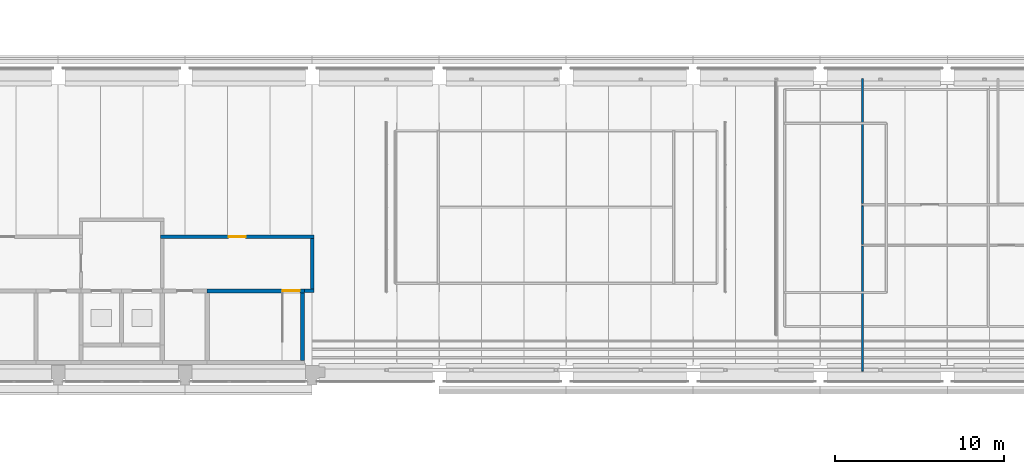
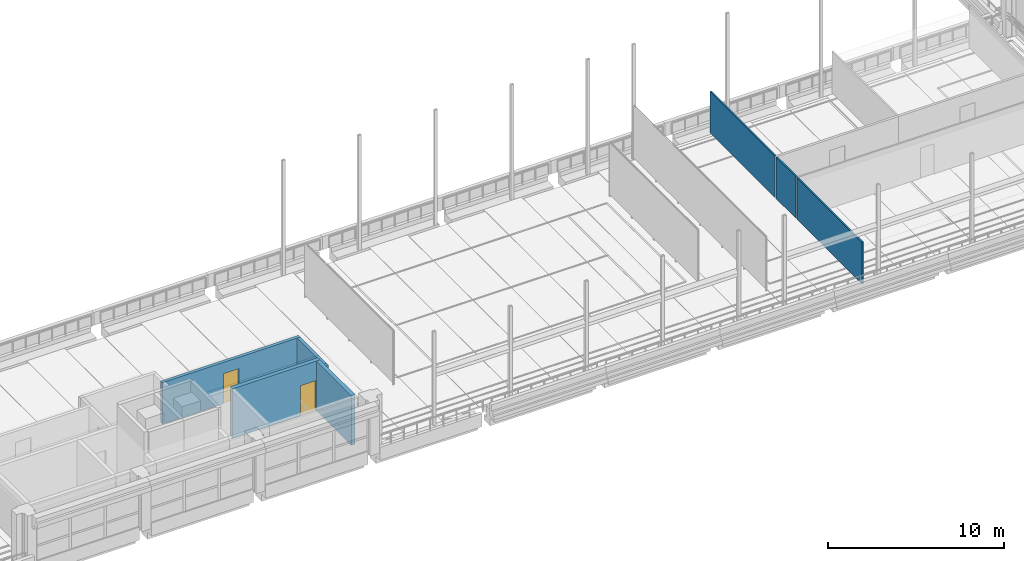
# One storey, part 43 of 62: 8 walls, 2 doors, 2 openings.
"""IFC4 building model written with IfcOpenShell, lengths in metres."""

from ifc_helpers import new_model, si_unit, direction, frame, frame_2d, origin, place, context, subcontext, project, spatial, rectangle, extrude, material, layer, layer_set, type_object, element, fill, save


model = new_model("IFC4")

# Units and contexts
model_context = context("Model", 3, precision=1e-05, world=origin(), true_north=direction((0.0, 1.0)))
body_context = subcontext(model_context, "Body", "Model", "MODEL_VIEW")
ifc_project = project(units=[si_unit("LENGTHUNIT", "METRE"), si_unit("AREAUNIT", "SQUARE_METRE"), si_unit("VOLUMEUNIT", "CUBIC_METRE"), si_unit("PLANEANGLEUNIT", "RADIAN"), si_unit("MASSUNIT", "GRAM", prefix="KILO")], contexts=[model_context])

# Site, building, storey
site_placement = place(None, origin())
site = spatial("IfcSite", under=ifc_project, at=site_placement, CompositionType="ELEMENT")
building_placement = place(site_placement, origin())
building = spatial("IfcBuilding", under=site, at=building_placement, Name="Cour d'Honneur Mobility Palace", CompositionType="ELEMENT")
storey_placement = place(building_placement, frame((0.0, 0.0, 19.300048828125)))
storey = spatial("IfcBuildingStorey", under=building, at=storey_placement, Name="L05", CompositionType="ELEMENT", Elevation=19.300048828125)

# Walls
ifc_material_1 = material(Name="Gypsum plasterboard")
ifc_layer_1 = layer(ifc_material_1, 0.10009765625)
ifc_layer_set_1 = layer_set([ifc_layer_1], Name="Gypsum plasterboard")
wall_type_1 = type_object("IfcWallType", Name="Partition 100", PredefinedType="PARTITIONING", material=ifc_layer_set_1)
wall_1_placement = place(storey_placement, frame((124.89990234375, 52.449951171875, 0.0), z_axis=(0.0, 0.0, 1.0), x_axis=(0.0, -1.0, 0.0)))
element("IfcWall", 1, at=wall_1_placement, inside=storey, type_object=wall_type_1, Name="Partition 042", PredefinedType="PARTITIONING", context=body_context, shape_type="SweptSolid", body=[
    extrude(rectangle(XDim=7.389892578125, YDim=0.10009765625, at=frame_2d((3.69482421875, 0.0))), origin(), (0.0, 0.0, 1.0), 2.8798828125),
])
wall_2_placement = place(storey_placement, frame((124.89990234375, 54.824951171875, 0.0), z_axis=(0.0, 0.0, 1.0), x_axis=(0.0, -1.0, 0.0)))
element("IfcWall", 2, at=wall_2_placement, inside=storey, type_object=wall_type_1, Name="Partition 060", PredefinedType="PARTITIONING", context=body_context, shape_type="SweptSolid", body=[
    extrude(rectangle(XDim=2.27490234375, YDim=0.10009765625, at=frame_2d((1.137451171875, 0.0))), origin(), (0.0, 0.0, 1.0), 2.8798828125),
])
wall_3_placement = place(storey_placement, frame((124.89990234375, 62.340087890625, 0.0), z_axis=(0.0, 0.0, 1.0), x_axis=(0.0, -1.0, 0.0)))
element("IfcWall", 3, at=wall_3_placement, inside=storey, type_object=wall_type_1, Name="Partition 069", PredefinedType="PARTITIONING", context=body_context, shape_type="SweptSolid", body=[
    extrude(rectangle(XDim=7.364990234375, YDim=0.10009765625, at=frame_2d((3.6826171875, 0.0))), origin(), (0.0, 0.0, 1.0), 2.8798828125),
])
ifc_material_2 = material(Name="Gypsum plasterboard")
ifc_layer_2 = layer(ifc_material_2, 0.199951171875)
ifc_layer_set_2 = layer_set([ifc_layer_2], Name="Gypsum plasterboard")
wall_type_2 = type_object("IfcWallType", Name="Partition 200 rated EI 120", PredefinedType="PARTITIONING", material=ifc_layer_set_2)
wall_4_placement = place(storey_placement, frame((91.949951171875, 49.800048828125, 0.0), z_axis=(0.0, 0.0, 1.0), x_axis=(1.0, 0.0, 0.0)))
element("IfcWall", 4, at=wall_4_placement, inside=storey, type_object=wall_type_2, Name="Partition 025", PredefinedType="PARTITIONING", context=body_context, shape_type="SweptSolid", body=[
    extrude(rectangle(XDim=0.550048828125, YDim=0.199951171875, at=frame_2d((0.27490234375, 0.0))), origin(), (0.0, 0.0, 1.0), 2.8798828125),
])
wall_5_placement = place(storey_placement, frame((92.39990234375, 49.89990234375, 0.0), z_axis=(0.0, 0.0, 1.0), x_axis=(0.0, 1.0, 0.0)))
element("IfcWall", 5, at=wall_5_placement, inside=storey, type_object=wall_type_2, Name="Partition 026", PredefinedType="PARTITIONING", context=body_context, shape_type="SweptSolid", body=[
    extrude(rectangle(XDim=3.0, YDim=0.199951171875, at=frame_2d((1.5, 0.0))), origin(), (0.0, 0.0, 1.0), 2.8798828125),
])

# Wall, opening, door
wall_6_placement = place(storey_placement, frame((92.5, 53.0, 0.0), z_axis=(0.0, 0.0, 1.0), x_axis=(-1.0, 0.0, 0.0)))
wall_6 = element("IfcWall", 6, at=wall_6_placement, inside=storey, type_object=wall_type_2, Name="Partition 048", PredefinedType="PARTITIONING", context=body_context, shape_type="SweptSolid", body=[
    extrude(rectangle(XDim=9.050048828125, YDim=0.199951171875, at=frame_2d((4.52490234375, 0.0))), origin(), (0.0, 0.0, 1.0), 2.8798828125),
])
opening_1_placement = place(wall_6_placement, frame((4.02490234375, 0.0, 0.0)))
opening_1 = element("IfcOpeningElement", 7, at=opening_1_placement, cuts=wall_6, Name="Opening D0506", PredefinedType="OPENING", context=body_context, shape_type="SweptSolid", body=[
    extrude(rectangle(XDim=1.0, YDim=2.10009765625, at=frame_2d((0.5, 1.050048828125))), frame((0.0, 0.10986328125, 0.0), z_axis=(0.0, -1.0, 0.0), x_axis=(1.0, 0.0, 0.0)), (0.0, 0.0, 1.0), 0.219970703125),
])
ifc_material_3 = material(Name="Galvanised steel", Category="steel")
door_type_1 = type_object("IfcDoorType", Name="Fire door FD120 1000 x 2100", OperationType="SINGLE_SWING_LEFT", PredefinedType="DOOR", material=ifc_material_3)
door_1_placement = place(opening_1_placement, frame((1.0, 0.0, 0.0), z_axis=(0.0, 0.0, 1.0), x_axis=(-1.0, 0.0, 0.0)))
door_1 = element("IfcDoor", 8, at=door_1_placement, inside=storey, type_object=door_type_1, Name="Door Stair Lobby CC East", OperationType="SINGLE_SWING_LEFT", OverallHeight=2.10009765625, OverallWidth=1.0, PredefinedType="DOOR", context=body_context, shape_type="SweptSolid", body=[
    extrude(rectangle(XDim=1.0, YDim=2.10009765625, at=frame_2d((0.5, 1.050048828125))), frame((0.0, 0.02490234375, 0.0), z_axis=(0.0, -1.0, 0.0), x_axis=(1.0, 0.0, 0.0)), (0.0, 0.0, 1.0), 0.050048828125),
])
fill(opening_1, door_1)

ifc_material_4 = material(Name="Concrete C50", Category="concrete")
ifc_layer_3 = layer(ifc_material_4, 0.25)
ifc_layer_set_3 = layer_set([ifc_layer_3], Name="Concrete C50")
wall_type_3 = type_object("IfcWallType", Name="Stair wall 250", PredefinedType="SHEAR", material=ifc_layer_set_3)
wall_7_placement = place(storey_placement, frame((86.199951171875, 49.800048828125, 0.0), z_axis=(0.0, 0.0, 1.0), x_axis=(1.0, 0.0, 0.0)))
wall_7 = element("IfcWall", 9, at=wall_7_placement, inside=storey, type_object=wall_type_3, Name="Stair wall WS-CC13 L05", PredefinedType="SHEAR", context=body_context, shape_type="SweptSolid", body=[
    extrude(rectangle(XDim=5.75, YDim=0.25, at=frame_2d((2.875, 0.0))), origin(), (0.0, 0.0, 1.0), 3.449951171875),
])
opening_2_placement = place(wall_7_placement, frame((4.47509765625, 0.0, 0.0)))
opening_2 = element("IfcOpeningElement", 10, at=opening_2_placement, cuts=wall_7, Name="Opening S96", PredefinedType="OPENING", context=body_context, shape_type="SweptSolid", body=[
    extrude(rectangle(XDim=1.0, YDim=2.10009765625, at=frame_2d((0.5, 1.050048828125))), frame((0.0, 0.135009765625, 0.0), z_axis=(0.0, -1.0, 0.0), x_axis=(1.0, 0.0, 0.0)), (0.0, 0.0, 1.0), 0.27001953125),
])
ifc_material_5 = material(Name="Galvanised steel", Category="steel")
door_type_2 = type_object("IfcDoorType", Name="Fire door FD120 stair 1000 x 2100", OperationType="SINGLE_SWING_LEFT", PredefinedType="DOOR", material=ifc_material_5)
door_2_placement = place(opening_2_placement, origin())
door_2 = element("IfcDoor", 11, at=door_2_placement, inside=storey, type_object=door_type_2, Name="Stair door ST-CC2 L05", OperationType="SINGLE_SWING_RIGHT", OverallHeight=2.10009765625, OverallWidth=1.0, PredefinedType="DOOR", context=body_context, shape_type="SweptSolid", body=[
    extrude(rectangle(XDim=1.0, YDim=2.10009765625, at=frame_2d((0.5, 1.050048828125))), frame((0.0, 0.02490234375, 0.0), z_axis=(0.0, -1.0, 0.0), x_axis=(1.0, 0.0, 0.0)), (0.0, 0.0, 1.0), 0.050048828125),
])
fill(opening_2, door_2)

# Wall
wall_8_placement = place(storey_placement, frame((91.824951171875, 45.699951171875, 0.0), z_axis=(0.0, 0.0, 1.0), x_axis=(0.0, 1.0, 0.0)))
element("IfcWall", 12, at=wall_8_placement, inside=storey, type_object=wall_type_3, Name="Stair wall WS-CC22 L05", PredefinedType="SHEAR", context=body_context, shape_type="SweptSolid", body=[
    extrude(rectangle(XDim=3.97509765625, YDim=0.25, at=frame_2d((1.987548828125, 0.0))), origin(), (0.0, 0.0, 1.0), 3.449951171875),
])

save(model, "model.ifc")
